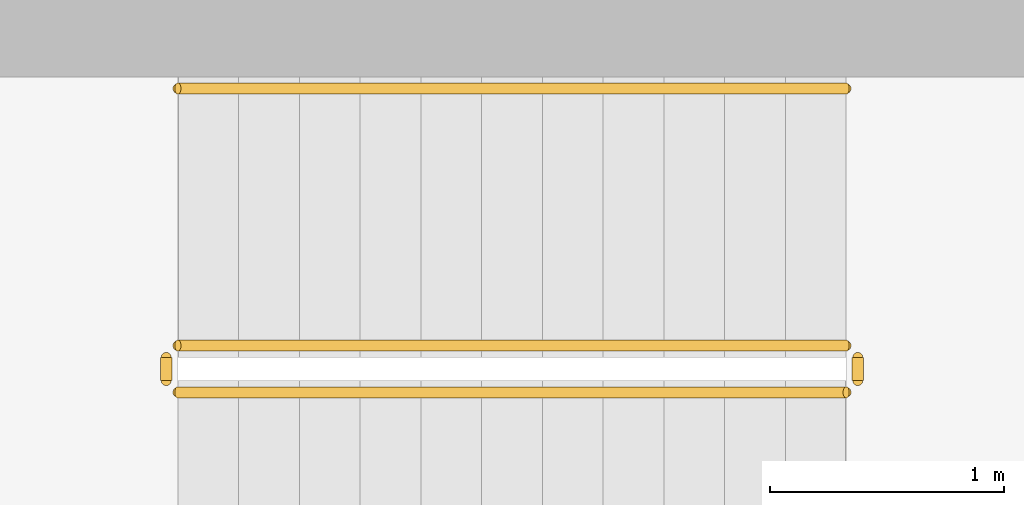
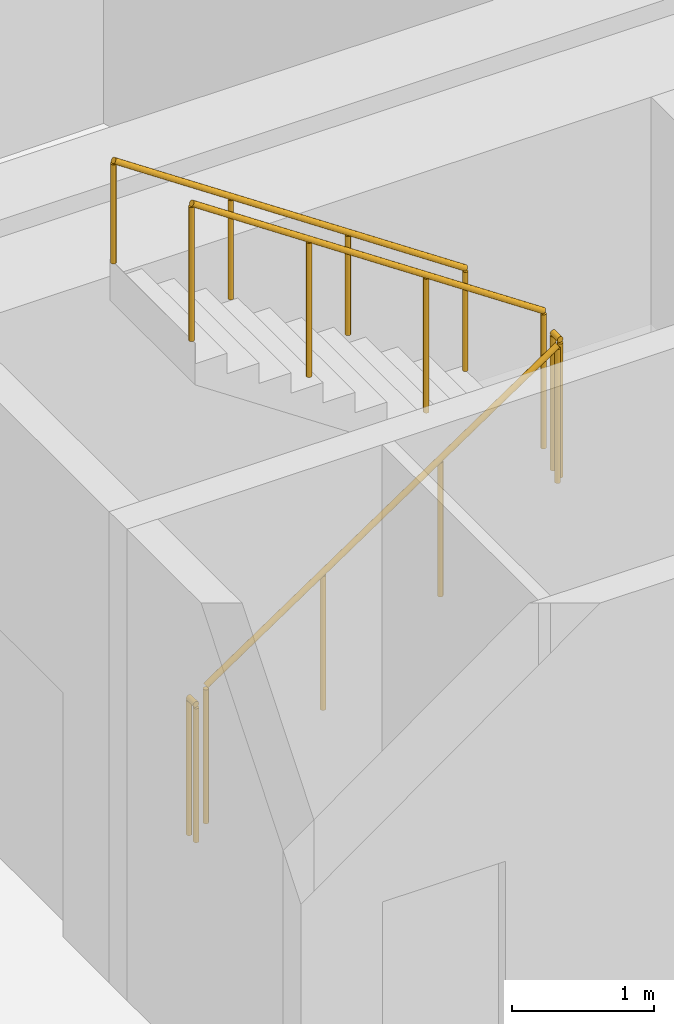
# One storey, part 20 of 24: 5 railings.
"""IFC4 building model written with IfcOpenShell, lengths in metres."""

from ifc_helpers import new_model, si_unit, direction, frame, origin, origin_2d, place, context, subcontext, project, spatial, circle, extrude, material, type_object, element, save


model = new_model("IFC4")

# Units and contexts
model_context = context("Model", 3, precision=1e-05, world=origin(), true_north=direction((0.0, 1.0)))
body_context = subcontext(model_context, "Body", "Model", "MODEL_VIEW")
ifc_project = project(units=[si_unit("LENGTHUNIT", "METRE"), si_unit("AREAUNIT", "SQUARE_METRE"), si_unit("VOLUMEUNIT", "CUBIC_METRE"), si_unit("PLANEANGLEUNIT", "RADIAN"), si_unit("MASSUNIT", "GRAM", prefix="KILO")], contexts=[model_context])

# Site, building, storey
site_placement = place(None, origin())
site = spatial("IfcSite", under=ifc_project, at=site_placement, CompositionType="ELEMENT")
building_placement = place(site_placement, origin())
building = spatial("IfcBuilding", under=site, at=building_placement, Name="Sahrelin Media Tower", CompositionType="ELEMENT")
storey_placement = place(building_placement, frame((0.0, 0.0, 58.800048828125)))
storey = spatial("IfcBuildingStorey", under=building, at=storey_placement, Name="L09", CompositionType="ELEMENT", Elevation=58.800048828125)

# Railings
ifc_material = material(Name="Steel S355", Category="steel")
railing_type_1 = type_object("IfcRailingType", Name="Stair guard 1200", PredefinedType="GUARDRAIL", material=ifc_material)
railing_1_placement = place(storey_placement, frame((-7.675048828125, 5.25, 0.175048828125)))
element("IfcRailing", 1, at=railing_1_placement, inside=storey, type_object=railing_type_1, Name="L09 ST1 stair guard 1", PredefinedType="GUARDRAIL", context=body_context, shape_type="SweptSolid", body=[
    extrude(circle(Radius=0.02392578125, at=origin_2d()), frame((0.0, 0.0, 1.17578125), z_axis=(0.829623704247, 0.0, 0.558322943601), x_axis=(0.0, 1.0, 0.0)), (0.0, 0.0, 1.0), 3.447509765625),
    extrude(circle(Radius=0.02099609375, at=origin_2d()), origin(), (0.0, 0.0, 1.0), 1.15185546875),
    extrude(circle(Radius=0.02099609375, at=origin_2d()), frame((0.953369140625, 0.0, 0.6416015625)), (0.0, 0.0, 1.0), 1.15185546875),
    extrude(circle(Radius=0.02099609375, at=origin_2d()), frame((1.90673828125, 0.0, 1.283203125)), (0.0, 0.0, 1.0), 1.15185546875),
    extrude(circle(Radius=0.02099609375, at=origin_2d()), frame((2.860107421875, 0.0, 1.9248046875)), (0.0, 0.0, 1.0), 1.15185546875),
])
railing_2_placement = place(storey_placement, frame((-4.764892578125, 5.300048828125, 2.099853515625)))
element("IfcRailing", 2, at=railing_2_placement, inside=storey, type_object=railing_type_1, Name="L09 ST1 stair guard 2", PredefinedType="GUARDRAIL", context=body_context, shape_type="SweptSolid", body=[
    extrude(circle(Radius=0.02392578125, at=origin_2d()), frame((0.0, 0.0, 1.17578125), z_axis=(0.0, 1.0, 0.0), x_axis=(-1.0, 0.0, 0.0)), (0.0, 0.0, 1.0), 0.099853515625),
    extrude(circle(Radius=0.02099609375, at=origin_2d()), origin(), (0.0, 0.0, 1.0), 1.15185546875),
    extrude(circle(Radius=0.02099609375, at=origin_2d()), frame((0.0, 0.099853515625, 0.0)), (0.0, 0.0, 1.0), 1.15185546875),
])
railing_3_placement = place(storey_placement, frame((-4.81494140625, 5.449951171875, 2.27490234375)))
element("IfcRailing", 3, at=railing_3_placement, inside=storey, type_object=railing_type_1, Name="L09 ST1 stair guard 3", PredefinedType="GUARDRAIL", context=body_context, shape_type="SweptSolid", body=[
    extrude(circle(Radius=0.02392578125, at=origin_2d()), frame((0.0, 0.0, 1.17578125), z_axis=(-0.829590901723, 0.0, 0.558371682465), x_axis=(0.0, -1.0, 0.0)), (0.0, 0.0, 1.0), 3.447509765625),
    extrude(circle(Radius=0.02099609375, at=origin_2d()), origin(), (0.0, 0.0, 1.0), 1.15185546875),
    extrude(circle(Radius=0.02099609375, at=origin_2d()), frame((-0.953369140625, 0.0, 0.6416015625)), (0.0, 0.0, 1.0), 1.15185546875),
    extrude(circle(Radius=0.02099609375, at=origin_2d()), frame((-1.90673828125, 0.0, 1.283447265625)), (0.0, 0.0, 1.0), 1.15185546875),
    extrude(circle(Radius=0.02099609375, at=origin_2d()), frame((-2.860107421875, 0.0, 1.925048828125)), (0.0, 0.0, 1.0), 1.15185546875),
])
railing_4_placement = place(storey_placement, frame((-7.72509765625, 5.300048828125, 0.0)))
element("IfcRailing", 4, at=railing_4_placement, inside=storey, type_object=railing_type_1, Name="L09 ST1 stair guard 4", PredefinedType="GUARDRAIL", context=body_context, shape_type="SweptSolid", body=[
    extrude(circle(Radius=0.02392578125, at=origin_2d()), frame((0.0, 0.0, 1.17578125), z_axis=(0.0, 1.0, 0.0), x_axis=(-1.0, 0.0, 0.0)), (0.0, 0.0, 1.0), 0.099853515625),
    extrude(circle(Radius=0.02099609375, at=origin_2d()), origin(), (0.0, 0.0, 1.0), 1.15185546875),
    extrude(circle(Radius=0.02099609375, at=origin_2d()), frame((0.0, 0.099853515625, 0.0)), (0.0, 0.0, 1.0), 1.15185546875),
])
railing_type_2 = type_object("IfcRailingType", Name="Stair handrail 900", PredefinedType="HANDRAIL", material=ifc_material)
railing_5_placement = place(storey_placement, frame((-4.81494140625, 6.550048828125, 2.27490234375)))
element("IfcRailing", 5, at=railing_5_placement, inside=storey, type_object=railing_type_2, Name="L09 ST1 stair handrail 2", PredefinedType="HANDRAIL", context=body_context, shape_type="SweptSolid", body=[
    extrude(circle(Radius=0.02392578125, at=origin_2d()), frame((0.0, 0.0, 0.8759765625), z_axis=(-0.829590901723, 0.0, 0.558371682465), x_axis=(0.0, -1.0, 0.0)), (0.0, 0.0, 1.0), 3.447509765625),
    extrude(circle(Radius=0.02099609375, at=origin_2d()), origin(), (0.0, 0.0, 1.0), 0.851806640625),
    extrude(circle(Radius=0.02099609375, at=origin_2d()), frame((-0.953369140625, 0.0, 0.6416015625)), (0.0, 0.0, 1.0), 0.851806640625),
    extrude(circle(Radius=0.02099609375, at=origin_2d()), frame((-1.90673828125, 0.0, 1.283447265625)), (0.0, 0.0, 1.0), 0.851806640625),
    extrude(circle(Radius=0.02099609375, at=origin_2d()), frame((-2.860107421875, 0.0, 1.925048828125)), (0.0, 0.0, 1.0), 0.851806640625),
])

save(model, "model.ifc")
